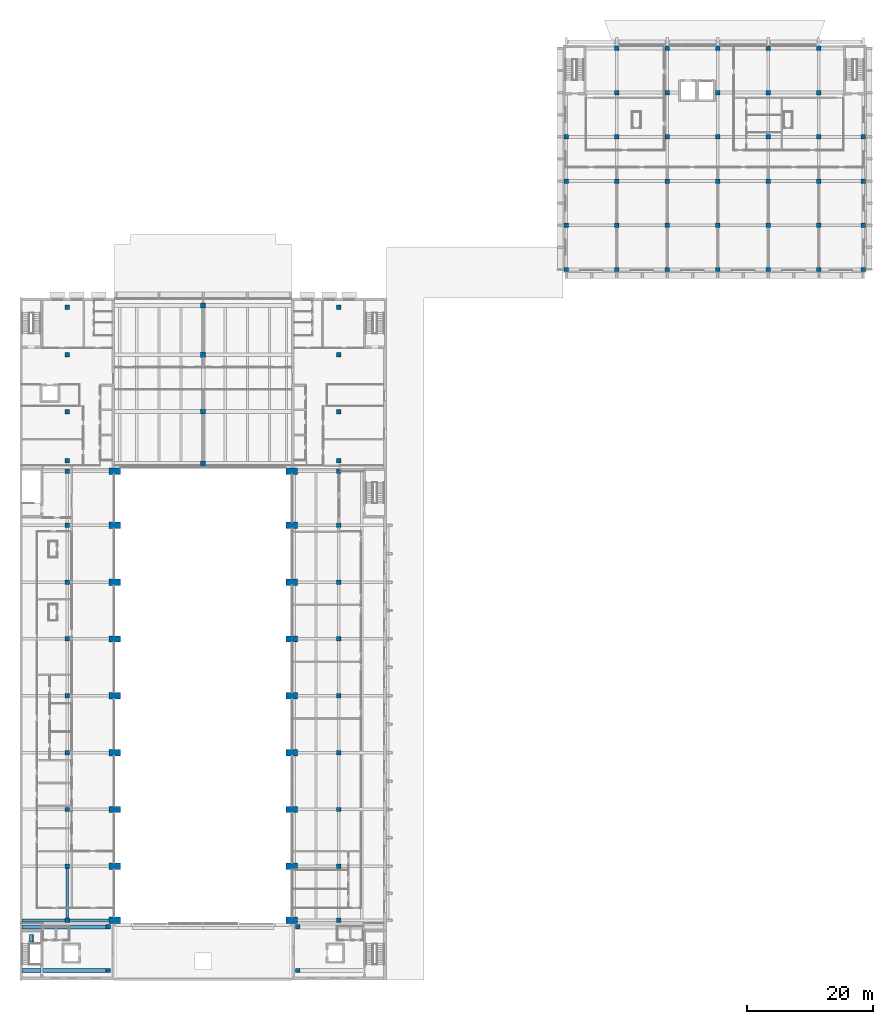
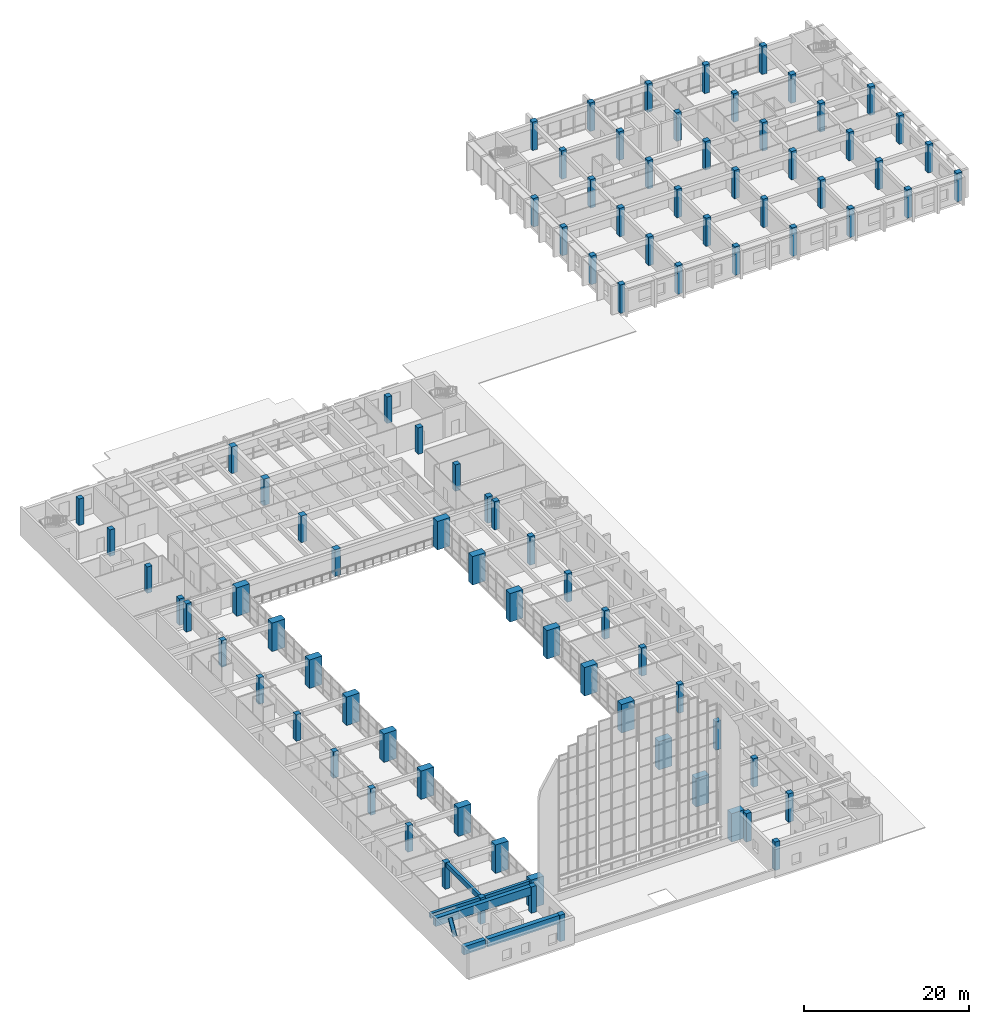
# One storey, part 1 of 45: 90 columns, 6 beams, 1 member.
"""IFC4 building model written with IfcOpenShell, lengths in metres."""

from ifc_helpers import new_model, si_unit, direction, frame, origin, origin_2d, place, context, subcontext, project, spatial, polyline, rectangle, outline, extrude, material, material_profile, profile_set, type_object, element, save


model = new_model("IFC4")

# Units and contexts
model_context = context("Model", 3, precision=1e-05, world=origin(), true_north=direction((0.0, 1.0)))
body_context = subcontext(model_context, "Body", "Model", "MODEL_VIEW")
ifc_project = project(units=[si_unit("LENGTHUNIT", "METRE"), si_unit("AREAUNIT", "SQUARE_METRE"), si_unit("VOLUMEUNIT", "CUBIC_METRE"), si_unit("PLANEANGLEUNIT", "RADIAN"), si_unit("MASSUNIT", "GRAM", prefix="KILO")], contexts=[model_context])

# Site, building, storey
site_placement = place(None, origin())
site = spatial("IfcSite", under=ifc_project, at=site_placement, CompositionType="ELEMENT")
building_placement = place(site_placement, origin())
building = spatial("IfcBuilding", under=site, at=building_placement, Name="Elmora Arch Market Hall", CompositionType="ELEMENT")
storey_placement = place(building_placement, frame((0.0, 0.0, 6.0)))
storey = spatial("IfcBuildingStorey", under=building, at=storey_placement, Name="L01", CompositionType="ELEMENT", Elevation=6.0)

# Columns
ifc_material_1 = material(Name="Concrete C40/50", Category="concrete")
ifc_material_profile_1 = material_profile(ifc_material_1, rectangle(XDim=0.699951171875, YDim=0.699951171875, at=origin_2d()), Name="Corner block column 700x700")
ifc_profile_set_1 = profile_set([ifc_material_profile_1], Name="Concrete C40/50")
column_type_1 = type_object("IfcColumnType", Name="Corner block column 700x700", PredefinedType="COLUMN", material=ifc_profile_set_1)
for number, where, z_axis, x_axis, name in (
    (1, (14.0, 19.5, 0.0), (0.0, 0.0, 1.0), (1.0, 0.0, 0.0), "Corner block column SW2 L01"),
    (2, (14.0, 26.39990234375, 0.0), (0.0, 0.0, 1.0), (1.0, 0.0, 0.0), "Corner block column SW4 L01"),
):
    element("IfcColumn", number, at=place(storey_placement, frame(where, z_axis=z_axis, x_axis=x_axis)), inside=storey, type_object=column_type_1, Name=name, PredefinedType="COLUMN", context=body_context, shape_type="SweptSolid", body=[
        extrude(rectangle(XDim=0.699951171875, YDim=0.699951171875, at=origin_2d()), origin(), (0.0, 0.0, 1.0), 3.89990234375),
    ])
for number, where, z_axis, x_axis, name in (
    (3, (44.0, 19.5, 0.0), (0.0, 0.0, 1.0), (1.0, 0.0, 0.0), "Corner block column SE2 L01"),
    (4, (44.0, 26.39990234375, 0.0), (0.0, 0.0, 1.0), (1.0, 0.0, 0.0), "Corner block column SE4 L01"),
):
    element("IfcColumn", number, at=place(storey_placement, frame(where, z_axis=z_axis, x_axis=x_axis)), inside=storey, type_object=column_type_1, Name=name, PredefinedType="COLUMN", context=body_context, shape_type="SweptSolid", body=[
        extrude(rectangle(XDim=0.699951171875, YDim=0.699951171875, at=origin_2d()), origin(), (0.0, 0.0, 1.0), 4.199951171875),
    ])
ifc_material_2 = material(Name="Concrete C40/50", Category="concrete")
ifc_material_profile_2 = material_profile(ifc_material_2, rectangle(XDim=0.800048828125, YDim=0.800048828125, at=origin_2d()), Name="Gate column 800x800")
ifc_profile_set_2 = profile_set([ifc_material_profile_2], Name="Concrete C40/50")
column_type_2 = type_object("IfcColumnType", Name="Gate column 800x800", PredefinedType="COLUMN", material=ifc_profile_set_2)
for number, where, z_axis, x_axis, name in (
    (5, (29.0, 99.800048828125, 0.0), (0.0, 0.0, 1.0), (1.0, 0.0, 0.0), "Gate column GT1 L01"),
    (6, (29.0, 108.0, 0.0), (0.0, 0.0, 1.0), (1.0, 0.0, 0.0), "Gate column GT2 L01"),
    (7, (29.0, 117.0, 0.0), (0.0, 0.0, 1.0), (1.0, 0.0, 0.0), "Gate column GT3 L01"),
    (8, (29.0, 124.800048828125, 0.0), (0.0, 0.0, 1.0), (1.0, 0.0, 0.0), "Gate column GT4 L01"),
):
    element("IfcColumn", number, at=place(storey_placement, frame(where, z_axis=z_axis, x_axis=x_axis)), inside=storey, type_object=column_type_2, Name=name, PredefinedType="COLUMN", context=body_context, shape_type="SweptSolid", body=[
        extrude(rectangle(XDim=0.800048828125, YDim=0.800048828125, at=origin_2d()), origin(), (0.0, 0.0, 1.0), 3.89990234375),
    ])
ifc_material_3 = material(Name="Concrete C40/50", Category="concrete")
ifc_material_profile_3 = material_profile(ifc_material_3, rectangle(XDim=1.800048828125, YDim=1.0, at=origin_2d()), Name="Hall pier")
ifc_profile_set_3 = profile_set([ifc_material_profile_3], Name="Concrete C40/50")
column_type_3 = type_object("IfcColumnType", Name="Hall pier", PredefinedType="COLUMN", material=ifc_profile_set_3)
for number, where, z_axis, x_axis, name in (
    (9, (15.0, 27.449951171875, 0.0), (0.0, 0.0, 1.0), (1.0, 0.0, 0.0), "Hall pier 01W L01"),
    (10, (43.0, 27.449951171875, 0.0), (0.0, 0.0, 1.0), (1.0, 0.0, 0.0), "Hall pier 01E L01"),
    (11, (15.0, 36.0, 0.0), (0.0, 0.0, 1.0), (1.0, 0.0, 0.0), "Hall pier 02W L01"),
    (12, (43.0, 36.0, 0.0), (0.0, 0.0, 1.0), (1.0, 0.0, 0.0), "Hall pier 02E L01"),
    (13, (15.0, 45.0, 0.0), (0.0, 0.0, 1.0), (1.0, 0.0, 0.0), "Hall pier 03W L01"),
    (14, (43.0, 45.0, 0.0), (0.0, 0.0, 1.0), (1.0, 0.0, 0.0), "Hall pier 03E L01"),
    (15, (15.0, 54.0, 0.0), (0.0, 0.0, 1.0), (1.0, 0.0, 0.0), "Hall pier 04W L01"),
    (16, (43.0, 54.0, 0.0), (0.0, 0.0, 1.0), (1.0, 0.0, 0.0), "Hall pier 04E L01"),
    (17, (15.0, 63.0, 0.0), (0.0, 0.0, 1.0), (1.0, 0.0, 0.0), "Hall pier 05W L01"),
    (18, (43.0, 63.0, 0.0), (0.0, 0.0, 1.0), (1.0, 0.0, 0.0), "Hall pier 05E L01"),
    (19, (15.0, 72.0, 0.0), (0.0, 0.0, 1.0), (1.0, 0.0, 0.0), "Hall pier 06W L01"),
    (20, (43.0, 72.0, 0.0), (0.0, 0.0, 1.0), (1.0, 0.0, 0.0), "Hall pier 06E L01"),
    (21, (15.0, 81.0, 0.0), (0.0, 0.0, 1.0), (1.0, 0.0, 0.0), "Hall pier 07W L01"),
    (22, (43.0, 81.0, 0.0), (0.0, 0.0, 1.0), (1.0, 0.0, 0.0), "Hall pier 07E L01"),
    (23, (15.0, 90.0, 0.0), (0.0, 0.0, 1.0), (1.0, 0.0, 0.0), "Hall pier 08W L01"),
    (24, (43.0, 90.0, 0.0), (0.0, 0.0, 1.0), (1.0, 0.0, 0.0), "Hall pier 08E L01"),
    (25, (15.0, 98.550048828125, 0.0), (0.0, 0.0, 1.0), (1.0, 0.0, 0.0), "Hall pier 09W L01"),
    (26, (43.0, 98.550048828125, 0.0), (0.0, 0.0, 1.0), (1.0, 0.0, 0.0), "Hall pier 09E L01"),
):
    element("IfcColumn", number, at=place(storey_placement, frame(where, z_axis=z_axis, x_axis=x_axis)), inside=storey, type_object=column_type_3, Name=name, PredefinedType="COLUMN", context=body_context, shape_type="SweptSolid", body=[
        extrude(rectangle(XDim=1.800048828125, YDim=1.0, at=origin_2d()), origin(), (0.0, 0.0, 1.0), 4.199951171875),
    ])
ifc_material_4 = material(Name="Concrete C40/50", Category="concrete")
ifc_material_profile_4 = material_profile(ifc_material_4, rectangle(XDim=0.699951171875, YDim=0.699951171875, at=origin_2d()), Name="Pavilion column 700x700")
ifc_profile_set_4 = profile_set([ifc_material_profile_4], Name="Concrete C40/50")
column_type_4 = type_object("IfcColumnType", Name="Pavilion column 700x700", PredefinedType="COLUMN", material=ifc_profile_set_4)
for number, where, z_axis, x_axis, name in (
    (27, (7.5, 100.199951171875, 0.0), (0.0, 0.0, 1.0), (1.0, 0.0, 0.0), "Pavilion column NW1 L01"),
    (28, (7.5, 108.0, 0.0), (0.0, 0.0, 1.0), (1.0, 0.0, 0.0), "Pavilion column NW2 L01"),
    (29, (7.5, 117.0, 0.0), (0.0, 0.0, 1.0), (1.0, 0.0, 0.0), "Pavilion column NW3 L01"),
    (30, (7.5, 124.5, 0.0), (0.0, 0.0, 1.0), (1.0, 0.0, 0.0), "Pavilion column NW4 L01"),
    (31, (50.5, 100.199951171875, 0.0), (0.0, 0.0, 1.0), (1.0, 0.0, 0.0), "Pavilion column NE1 L01"),
    (32, (50.5, 108.0, 0.0), (0.0, 0.0, 1.0), (1.0, 0.0, 0.0), "Pavilion column NE2 L01"),
    (33, (50.5, 117.0, 0.0), (0.0, 0.0, 1.0), (1.0, 0.0, 0.0), "Pavilion column NE3 L01"),
    (34, (50.5, 124.5, 0.0), (0.0, 0.0, 1.0), (1.0, 0.0, 0.0), "Pavilion column NE4 L01"),
):
    element("IfcColumn", number, at=place(storey_placement, frame(where, z_axis=z_axis, x_axis=x_axis)), inside=storey, type_object=column_type_4, Name=name, PredefinedType="COLUMN", context=body_context, shape_type="SweptSolid", body=[
        extrude(rectangle(XDim=0.699951171875, YDim=0.699951171875, at=origin_2d()), origin(), (0.0, 0.0, 1.0), 3.89990234375),
    ])
ifc_material_5 = material(Name="Concrete C40/50", Category="concrete")
ifc_material_profile_5 = material_profile(ifc_material_5, rectangle(XDim=0.699951171875, YDim=0.699951171875, at=origin_2d()), Name="School column 700x700")
ifc_profile_set_5 = profile_set([ifc_material_profile_5], Name="Concrete C40/50")
column_type_5 = type_object("IfcColumnType", Name="School column 700x700", PredefinedType="COLUMN", material=ifc_profile_set_5)
for number, where, z_axis, x_axis, name in (
    (35, (86.5, 130.5, 0.0), (0.0, 0.0, 1.0), (1.0, 0.0, 0.0), "School column SC11 L01"),
    (36, (86.5, 137.5, 0.0), (0.0, 0.0, 1.0), (1.0, 0.0, 0.0), "School column SC12 L01"),
    (37, (86.5, 144.5, 0.0), (0.0, 0.0, 1.0), (1.0, 0.0, 0.0), "School column SC13 L01"),
    (38, (86.5, 151.5, 0.0), (0.0, 0.0, 1.0), (1.0, 0.0, 0.0), "School column SC14 L01"),
    (39, (94.5, 130.5, 0.0), (0.0, 0.0, 1.0), (1.0, 0.0, 0.0), "School column SC21 L01"),
    (40, (94.5, 137.5, 0.0), (0.0, 0.0, 1.0), (1.0, 0.0, 0.0), "School column SC22 L01"),
    (41, (94.5, 144.5, 0.0), (0.0, 0.0, 1.0), (1.0, 0.0, 0.0), "School column SC23 L01"),
    (42, (94.5, 151.5, 0.0), (0.0, 0.0, 1.0), (1.0, 0.0, 0.0), "School column SC24 L01"),
    (43, (94.5, 158.5, 0.0), (0.0, 0.0, 1.0), (1.0, 0.0, 0.0), "School column SC25 L01"),
    (44, (94.5, 165.5, 0.0), (0.0, 0.0, 1.0), (1.0, 0.0, 0.0), "School column SC26 L01"),
    (45, (102.5, 130.5, 0.0), (0.0, 0.0, 1.0), (1.0, 0.0, 0.0), "School column SC31 L01"),
    (46, (102.5, 137.5, 0.0), (0.0, 0.0, 1.0), (1.0, 0.0, 0.0), "School column SC32 L01"),
    (47, (102.5, 144.5, 0.0), (0.0, 0.0, 1.0), (1.0, 0.0, 0.0), "School column SC33 L01"),
    (48, (102.5, 151.5, 0.0), (0.0, 0.0, 1.0), (1.0, 0.0, 0.0), "School column SC34 L01"),
    (49, (102.5, 158.5, 0.0), (0.0, 0.0, 1.0), (1.0, 0.0, 0.0), "School column SC35 L01"),
    (50, (102.5, 165.5, 0.0), (0.0, 0.0, 1.0), (1.0, 0.0, 0.0), "School column SC36 L01"),
    (51, (110.5, 130.5, 0.0), (0.0, 0.0, 1.0), (1.0, 0.0, 0.0), "School column SC41 L01"),
    (52, (110.5, 137.5, 0.0), (0.0, 0.0, 1.0), (1.0, 0.0, 0.0), "School column SC42 L01"),
    (53, (110.5, 144.5, 0.0), (0.0, 0.0, 1.0), (1.0, 0.0, 0.0), "School column SC43 L01"),
    (54, (110.5, 151.5, 0.0), (0.0, 0.0, 1.0), (1.0, 0.0, 0.0), "School column SC44 L01"),
    (55, (110.5, 158.5, 0.0), (0.0, 0.0, 1.0), (1.0, 0.0, 0.0), "School column SC45 L01"),
    (56, (110.5, 165.5, 0.0), (0.0, 0.0, 1.0), (1.0, 0.0, 0.0), "School column SC46 L01"),
    (57, (118.5, 130.5, 0.0), (0.0, 0.0, 1.0), (1.0, 0.0, 0.0), "School column SC51 L01"),
    (58, (118.5, 137.5, 0.0), (0.0, 0.0, 1.0), (1.0, 0.0, 0.0), "School column SC52 L01"),
    (59, (118.5, 144.5, 0.0), (0.0, 0.0, 1.0), (1.0, 0.0, 0.0), "School column SC53 L01"),
    (60, (118.5, 151.5, 0.0), (0.0, 0.0, 1.0), (1.0, 0.0, 0.0), "School column SC54 L01"),
    (61, (118.5, 158.5, 0.0), (0.0, 0.0, 1.0), (1.0, 0.0, 0.0), "School column SC55 L01"),
    (62, (118.5, 165.5, 0.0), (0.0, 0.0, 1.0), (1.0, 0.0, 0.0), "School column SC56 L01"),
    (63, (126.5, 130.5, 0.0), (0.0, 0.0, 1.0), (1.0, 0.0, 0.0), "School column SC61 L01"),
    (64, (126.5, 137.5, 0.0), (0.0, 0.0, 1.0), (1.0, 0.0, 0.0), "School column SC62 L01"),
    (65, (126.5, 144.5, 0.0), (0.0, 0.0, 1.0), (1.0, 0.0, 0.0), "School column SC63 L01"),
    (66, (126.5, 151.5, 0.0), (0.0, 0.0, 1.0), (1.0, 0.0, 0.0), "School column SC64 L01"),
    (67, (126.5, 158.5, 0.0), (0.0, 0.0, 1.0), (1.0, 0.0, 0.0), "School column SC65 L01"),
    (68, (126.5, 165.5, 0.0), (0.0, 0.0, 1.0), (1.0, 0.0, 0.0), "School column SC66 L01"),
    (69, (133.5, 130.5, 0.0), (0.0, 0.0, 1.0), (1.0, 0.0, 0.0), "School column SC71 L01"),
    (70, (133.5, 137.5, 0.0), (0.0, 0.0, 1.0), (1.0, 0.0, 0.0), "School column SC72 L01"),
    (71, (133.5, 144.5, 0.0), (0.0, 0.0, 1.0), (1.0, 0.0, 0.0), "School column SC73 L01"),
    (72, (133.5, 151.5, 0.0), (0.0, 0.0, 1.0), (1.0, 0.0, 0.0), "School column SC74 L01"),
):
    element("IfcColumn", number, at=place(storey_placement, frame(where, z_axis=z_axis, x_axis=x_axis)), inside=storey, type_object=column_type_5, Name=name, PredefinedType="COLUMN", context=body_context, shape_type="SweptSolid", body=[
        extrude(rectangle(XDim=0.699951171875, YDim=0.699951171875, at=origin_2d()), origin(), (0.0, 0.0, 1.0), 4.199951171875),
    ])
ifc_material_6 = material(Name="Concrete C40/50", Category="concrete")
ifc_material_profile_6 = material_profile(ifc_material_6, rectangle(XDim=0.699951171875, YDim=0.699951171875, at=origin_2d()), Name="Wing column 700x700")
ifc_profile_set_6 = profile_set([ifc_material_profile_6], Name="Concrete C40/50")
column_type_6 = type_object("IfcColumnType", Name="Wing column 700x700", PredefinedType="COLUMN", material=ifc_profile_set_6)
for number, where, z_axis, x_axis, name in (
    (73, (7.5, 27.449951171875, 0.0), (0.0, 0.0, 1.0), (1.0, 0.0, 0.0), "Wing column W1 L01"),
    (74, (7.5, 36.0, 0.0), (0.0, 0.0, 1.0), (1.0, 0.0, 0.0), "Wing column W2 L01"),
    (75, (7.5, 45.0, 0.0), (0.0, 0.0, 1.0), (1.0, 0.0, 0.0), "Wing column W3 L01"),
    (76, (7.5, 54.0, 0.0), (0.0, 0.0, 1.0), (1.0, 0.0, 0.0), "Wing column W4 L01"),
    (77, (7.5, 63.0, 0.0), (0.0, 0.0, 1.0), (1.0, 0.0, 0.0), "Wing column W5 L01"),
    (78, (7.5, 72.0, 0.0), (0.0, 0.0, 1.0), (1.0, 0.0, 0.0), "Wing column W6 L01"),
    (79, (7.5, 81.0, 0.0), (0.0, 0.0, 1.0), (1.0, 0.0, 0.0), "Wing column W7 L01"),
    (80, (7.5, 90.0, 0.0), (0.0, 0.0, 1.0), (1.0, 0.0, 0.0), "Wing column W8 L01"),
):
    element("IfcColumn", number, at=place(storey_placement, frame(where, z_axis=z_axis, x_axis=x_axis)), inside=storey, type_object=column_type_6, Name=name, PredefinedType="COLUMN", context=body_context, shape_type="SweptSolid", body=[
        extrude(rectangle(XDim=0.699951171875, YDim=0.699951171875, at=origin_2d()), origin(), (0.0, 0.0, 1.0), 3.89990234375),
    ])
for number, where, z_axis, x_axis, name in (
    (81, (7.5, 98.550048828125, 0.0), (0.0, 0.0, 1.0), (1.0, 0.0, 0.0), "Wing column W9 L01"),
    (82, (50.5, 27.449951171875, 0.0), (0.0, 0.0, 1.0), (1.0, 0.0, 0.0), "Wing column E1 L01"),
    (83, (50.5, 36.0, 0.0), (0.0, 0.0, 1.0), (1.0, 0.0, 0.0), "Wing column E2 L01"),
    (84, (50.5, 45.0, 0.0), (0.0, 0.0, 1.0), (1.0, 0.0, 0.0), "Wing column E3 L01"),
    (85, (50.5, 54.0, 0.0), (0.0, 0.0, 1.0), (1.0, 0.0, 0.0), "Wing column E4 L01"),
    (86, (50.5, 63.0, 0.0), (0.0, 0.0, 1.0), (1.0, 0.0, 0.0), "Wing column E5 L01"),
    (87, (50.5, 72.0, 0.0), (0.0, 0.0, 1.0), (1.0, 0.0, 0.0), "Wing column E6 L01"),
    (88, (50.5, 81.0, 0.0), (0.0, 0.0, 1.0), (1.0, 0.0, 0.0), "Wing column E7 L01"),
    (89, (50.5, 90.0, 0.0), (0.0, 0.0, 1.0), (1.0, 0.0, 0.0), "Wing column E8 L01"),
    (90, (50.5, 98.550048828125, 0.0), (0.0, 0.0, 1.0), (1.0, 0.0, 0.0), "Wing column E9 L01"),
):
    element("IfcColumn", number, at=place(storey_placement, frame(where, z_axis=z_axis, x_axis=x_axis)), inside=storey, type_object=column_type_6, Name=name, PredefinedType="COLUMN", context=body_context, shape_type="SweptSolid", body=[
        extrude(rectangle(XDim=0.699951171875, YDim=0.699951171875, at=origin_2d()), origin(), (0.0, 0.0, 1.0), 4.199951171875),
    ])

# Beams
ifc_material_7 = material(Name="Concrete C32/40", Category="concrete")
ifc_material_profile_7 = material_profile(ifc_material_7, rectangle(XDim=0.60009765625, YDim=1.199951171875, at=origin_2d()), Name="Corner block girder 600x1200")
ifc_profile_set_7 = profile_set([ifc_material_profile_7], Name="Concrete C32/40")
beam_type_1 = type_object("IfcBeamType", Name="Corner block girder 600x1200", PredefinedType="BEAM", material=ifc_profile_set_7)
beam_1_placement = place(storey_placement, frame((0.300048828125, 19.5, 3.300048828125), z_axis=(1.0, 0.0, 0.0), x_axis=(0.0, 1.0, 0.0)))
element("IfcBeam", 91, at=beam_1_placement, inside=storey, type_object=beam_type_1, Name="Corner block girder SWR1 L01.1", PredefinedType="BEAM", context=body_context, shape_type="SweptSolid", body=[
    extrude(rectangle(XDim=0.60009765625, YDim=1.199951171875, at=origin_2d()), origin(), (0.0, 0.0, 1.0), 3.0),
])
beam_2_placement = place(storey_placement, frame((3.60009765625, 19.5, 3.300048828125), z_axis=(1.0, 0.0, 0.0), x_axis=(0.0, 1.0, 0.0)))
element("IfcBeam", 92, at=beam_2_placement, inside=storey, type_object=beam_type_1, Name="Corner block girder SWR1 L01.2", PredefinedType="BEAM", context=body_context, shape_type="SweptSolid", body=[
    extrude(rectangle(XDim=0.60009765625, YDim=1.199951171875, at=origin_2d()), origin(), (0.0, 0.0, 1.0), 10.0498046875),
])
beam_3_placement = place(storey_placement, frame((0.300048828125, 26.39990234375, 3.300048828125), z_axis=(1.0, 0.0, 0.0), x_axis=(0.0, 1.0, 0.0)))
element("IfcBeam", 93, at=beam_3_placement, inside=storey, type_object=beam_type_1, Name="Corner block girder SWR2 L01.1", PredefinedType="BEAM", context=body_context, shape_type="SweptSolid", body=[
    extrude(rectangle(XDim=0.60009765625, YDim=1.199951171875, at=origin_2d()), origin(), (0.0, 0.0, 1.0), 13.349853515625),
])

# Member
ifc_material_8 = material(Name="Steel ASTM A500 Gr C", Category="steel")
ifc_material_profile_8 = material_profile(ifc_material_8, outline(polyline([(-0.300048828125, 0.0), (0.300048828125, 0.0), (0.300048828125, 0.10009765625), (0.260009765625, 0.10009765625), (0.260009765625, 0.02001953125), (-0.260009765625, 0.02001953125), (-0.260009765625, 0.10009765625), (-0.300048828125, 0.10009765625), (-0.300048828125, 0.0)])), Name="Ladder channel 600 x 100")
ifc_profile_set_8 = profile_set([ifc_material_profile_8], Name="Steel ASTM A500 Gr C")
member_type = type_object("IfcMemberType", Name="Roof access ladder 600", PredefinedType="USERDEFINED", material=ifc_profile_set_8)
member_placement = place(storey_placement, frame((1.800048828125, 24.0, 2.0), z_axis=(0.0, 0.505154929863, 0.863028676716), x_axis=(-1.0, 0.0, 0.0)))
element("IfcMember", 94, at=member_placement, inside=storey, type_object=member_type, Name="Roof access ladder ST-WS", ObjectType="ROOF ACCESS LADDER", PredefinedType="USERDEFINED", context=body_context, shape_type="SweptSolid", body=[
    extrude(outline(polyline([(-0.300048828125, 0.0), (0.300048828125, 0.0), (0.300048828125, 0.10009765625), (0.260009765625, 0.10009765625), (0.260009765625, 0.02001953125), (-0.260009765625, 0.02001953125), (-0.260009765625, 0.10009765625), (-0.300048828125, 0.10009765625), (-0.300048828125, 0.0)])), origin(), (0.0, 0.0, 1.0), 2.37548828125),
])

# Beams
ifc_material_9 = material(Name="Concrete C32/40", Category="concrete")
ifc_material_profile_9 = material_profile(ifc_material_9, rectangle(XDim=0.39990234375, YDim=0.699951171875, at=origin_2d()), Name="Wing beam 400x700")
ifc_profile_set_9 = profile_set([ifc_material_profile_9], Name="Concrete C32/40")
beam_type_2 = type_object("IfcBeamType", Name="Wing beam 400x700", PredefinedType="BEAM", material=ifc_profile_set_9)
beam_4_placement = place(storey_placement, frame((0.300048828125, 27.449951171875, 3.550048828125), z_axis=(1.0, 0.0, 0.0), x_axis=(0.0, 1.0, 0.0)))
element("IfcBeam", 95, at=beam_4_placement, inside=storey, type_object=beam_type_2, Name="Wing beam WR1 L01.1", PredefinedType="BEAM", context=body_context, shape_type="SweptSolid", body=[
    extrude(rectangle(XDim=0.39990234375, YDim=0.699951171875, at=origin_2d()), origin(), (0.0, 0.0, 1.0), 6.849853515625),
])
beam_5_placement = place(storey_placement, frame((7.85009765625, 27.449951171875, 3.550048828125), z_axis=(1.0, 0.0, 0.0), x_axis=(0.0, 1.0, 0.0)))
element("IfcBeam", 96, at=beam_5_placement, inside=storey, type_object=beam_type_2, Name="Wing beam WR1 L01.2", PredefinedType="BEAM", context=body_context, shape_type="SweptSolid", body=[
    extrude(rectangle(XDim=0.39990234375, YDim=0.699951171875, at=origin_2d()), origin(), (0.0, 0.0, 1.0), 6.25),
])
beam_6_placement = place(storey_placement, frame((7.5, 27.800048828125, 3.550048828125), z_axis=(0.0, 1.0, 0.0), x_axis=(-1.0, 0.0, 0.0)))
element("IfcBeam", 97, at=beam_6_placement, inside=storey, type_object=beam_type_2, Name="Wing beam WG L01.1", PredefinedType="BEAM", context=body_context, shape_type="SweptSolid", body=[
    extrude(rectangle(XDim=0.39990234375, YDim=0.699951171875, at=origin_2d()), origin(), (0.0, 0.0, 1.0), 7.849853515625),
])

save(model, "model.ifc")
